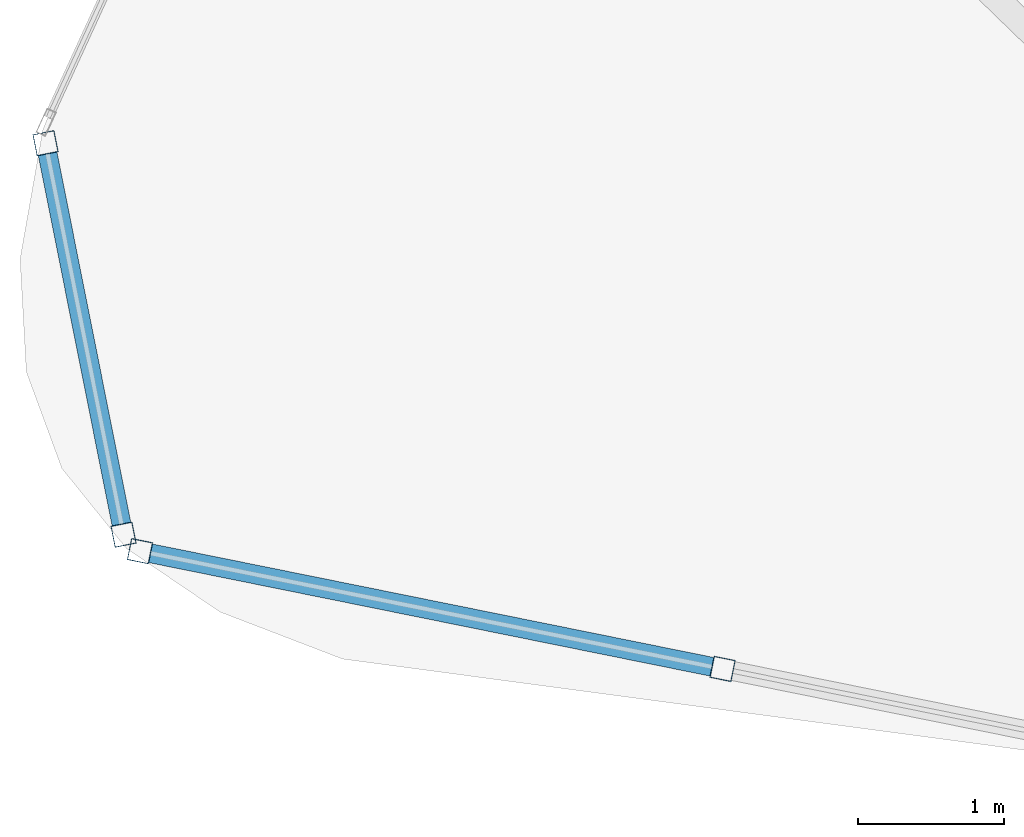
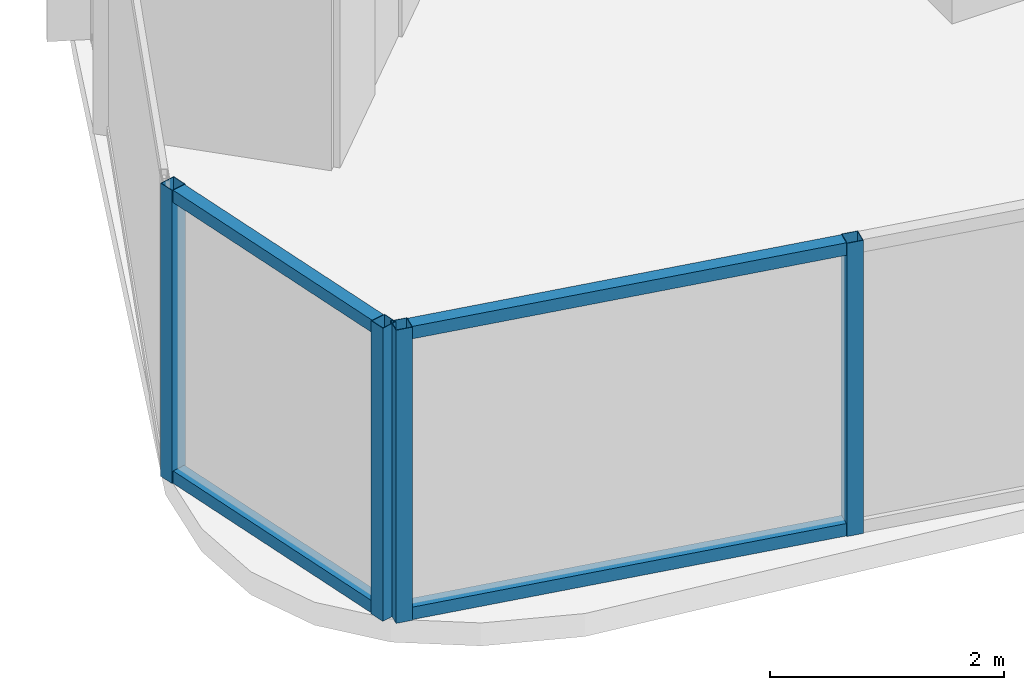
# One storey, part 2 of 35: 8 members, 2 elements without a shape of their own.
"""IFC4 building model written with IfcOpenShell, lengths in metres."""

from ifc_helpers import new_model, si_unit, direction, frame, origin, origin_2d, place, context, subcontext, project, spatial, hollow_rectangle, extrude, material, layer, layer_set, material_profile, profile_set, type_object, element, aggregate, save


model = new_model("IFC4")

# Units and contexts
model_context = context("Model", 3, precision=1e-05, world=origin(), true_north=direction((0.0, 1.0)))
body_context = subcontext(model_context, "Body", "Model", "MODEL_VIEW")
ifc_project = project(units=[si_unit("LENGTHUNIT", "METRE"), si_unit("AREAUNIT", "SQUARE_METRE"), si_unit("VOLUMEUNIT", "CUBIC_METRE"), si_unit("PLANEANGLEUNIT", "RADIAN"), si_unit("MASSUNIT", "GRAM", prefix="KILO")], contexts=[model_context])

# Site, building, storey
site_placement = place(None, origin())
site = spatial("IfcSite", under=ifc_project, at=site_placement, CompositionType="ELEMENT")
building_placement = place(site_placement, origin())
building = spatial("IfcBuilding", under=site, at=building_placement, Name="Orvanel Arch Residences", CompositionType="ELEMENT")
storey_placement = place(building_placement, frame((0.0, 0.0, 36.800048828125)))
storey = spatial("IfcBuildingStorey", under=building, at=storey_placement, Name="L09", CompositionType="ELEMENT", Elevation=36.800048828125)

# Curtain wall, members
ifc_material = material(Name="Bronze-anodised aluminium AA6063-T6", Category="aluminium")
ifc_layer = layer(ifc_material, 0.18994140625)
ifc_layer_set = layer_set([ifc_layer], Name="Bronze-anodised aluminium AA6063-T6")
curtain_wall_type = type_object("IfcCurtainWallType", Name="CW5-CRN-SYS", PredefinedType="NOTDEFINED", material=ifc_layer_set)
curtain_wall_1_placement = place(storey_placement, origin())
curtain_wall_1 = element("IfcCurtainWall", 1, at=curtain_wall_1_placement, inside=storey, type_object=curtain_wall_type, Name="L09 CW5-CRN-SYS Unitised Curtain Wall", PredefinedType="NOTDEFINED")
ifc_material_profile_1 = material_profile(ifc_material, hollow_rectangle(XDim=0.14990234375, YDim=0.14990234375, WallThickness=0.0048828125, at=origin_2d()), Name="ALU150x150x5")
ifc_profile_set_1 = profile_set([ifc_material_profile_1], Name="Bronze-anodised aluminium AA6063-T6")
member_type_1 = type_object("IfcMemberType", Name="MUL-150x150", PredefinedType="MULLION", material=ifc_profile_set_1)
member_1_placement = place(storey_placement, frame((4.257568359375, 7.038330078125, 0.0), z_axis=(0.0, 0.0, 1.0), x_axis=(0.98071396973, 0.195448483179, 0.0)))
member_1 = element("IfcMember", 2, at=member_1_placement, type_object=member_type_1, Name="CW-S5 mullion 1", PredefinedType="MULLION", context=body_context, shape_type="SweptSolid", body=[
    extrude(hollow_rectangle(XDim=0.14990234375, YDim=0.14990234375, WallThickness=0.0048828125, at=origin_2d()), origin(), (0.0, 0.0, 1.0), 3.06005859375),
])
member_2_placement = place(storey_placement, frame((4.791259765625, 4.360595703125, 0.0), z_axis=(0.0, 0.0, 1.0), x_axis=(0.98071396973, 0.195448483179, 0.0)))
member_2 = element("IfcMember", 3, at=member_2_placement, type_object=member_type_1, Name="CW-S5 mullion 2", PredefinedType="MULLION", context=body_context, shape_type="SweptSolid", body=[
    extrude(hollow_rectangle(XDim=0.14990234375, YDim=0.14990234375, WallThickness=0.0048828125, at=origin_2d()), origin(), (0.0, 0.0, 1.0), 3.06005859375),
])

curtain_wall_2_placement = place(storey_placement, origin())
curtain_wall_2 = element("IfcCurtainWall", 4, at=curtain_wall_2_placement, inside=storey, type_object=curtain_wall_type, Name="L09 CW5-CRN-SYS Unitised Curtain Wall", PredefinedType="NOTDEFINED")
member_3_placement = place(storey_placement, frame((4.903564453125, 4.248046875, 0.0), z_axis=(0.0, 0.0, 1.0), x_axis=(0.198159258538, 0.980169836434, 0.0)))
member_3 = element("IfcMember", 5, at=member_3_placement, type_object=member_type_1, Name="CW-S5 mullion 1", PredefinedType="MULLION", context=body_context, shape_type="SweptSolid", body=[
    extrude(hollow_rectangle(XDim=0.14990234375, YDim=0.14990234375, WallThickness=0.0048828125, at=origin_2d()), origin(), (0.0, 0.0, 1.0), 3.06005859375),
])
member_4_placement = place(storey_placement, frame((8.888427734375, 3.4423828125, 0.0), z_axis=(0.0, 0.0, 1.0), x_axis=(0.198159258538, 0.980169836434, 0.0)))
member_4 = element("IfcMember", 6, at=member_4_placement, type_object=member_type_1, Name="CW-S5 mullion 2", PredefinedType="MULLION", context=body_context, shape_type="SweptSolid", body=[
    extrude(hollow_rectangle(XDim=0.14990234375, YDim=0.14990234375, WallThickness=0.0048828125, at=origin_2d()), origin(), (0.0, 0.0, 1.0), 3.06005859375),
])

# Member
ifc_material_profile_2 = material_profile(ifc_material, hollow_rectangle(XDim=0.1298828125, YDim=0.1298828125, WallThickness=0.00439453125, at=origin_2d()), Name="ALU130x130x4.5")
ifc_profile_set_2 = profile_set([ifc_material_profile_2], Name="Bronze-anodised aluminium AA6063-T6")
member_type_2 = type_object("IfcMemberType", Name="TRN-130x130", PredefinedType="USERDEFINED", material=ifc_profile_set_2)
member_5_placement = place(storey_placement, frame((4.272216796875, 6.96484375, 0.06494140625), z_axis=(0.195461109638, -0.980711453293, 0.0), x_axis=(0.980711453293, 0.195461109638, 0.0)))
member_5 = element("IfcMember", 7, at=member_5_placement, type_object=member_type_2, Name="CW-S5 transom 1.1", ObjectType="TRANSOM", PredefinedType="USERDEFINED", context=body_context, shape_type="SweptSolid", body=[
    extrude(hollow_rectangle(XDim=0.1298828125, YDim=0.1298828125, WallThickness=0.00439453125, at=origin_2d()), origin(), (0.0, 0.0, 1.0), 2.58056640625),
])

member_6_placement = place(storey_placement, frame((4.272216796875, 6.96484375, 2.994873046875), z_axis=(0.195461109638, -0.980711453293, 0.0), x_axis=(0.980711453293, 0.195461109638, 0.0)))
member_6 = element("IfcMember", 8, at=member_6_placement, type_object=member_type_2, Name="CW-S5 transom 1.2", ObjectType="TRANSOM", PredefinedType="USERDEFINED", context=body_context, shape_type="SweptSolid", body=[
    extrude(hollow_rectangle(XDim=0.1298828125, YDim=0.1298828125, WallThickness=0.00439453125, at=origin_2d()), origin(), (0.0, 0.0, 1.0), 2.58056640625),
])

aggregate(curtain_wall_1, [member_1, member_2, member_5, member_6])

member_7_placement = place(storey_placement, frame((4.97705078125, 4.233154296875, 0.06494140625), z_axis=(0.980170871869, -0.198154136819, 0.0), x_axis=(0.198154136819, 0.980170871869, 0.0)))
member_7 = element("IfcMember", 9, at=member_7_placement, type_object=member_type_2, Name="CW-S5 transom 1.1", ObjectType="TRANSOM", PredefinedType="USERDEFINED", context=body_context, shape_type="SweptSolid", body=[
    extrude(hollow_rectangle(XDim=0.1298828125, YDim=0.1298828125, WallThickness=0.00439453125, at=origin_2d()), origin(), (0.0, 0.0, 1.0), 3.91552734375),
])

member_8_placement = place(storey_placement, frame((4.97705078125, 4.233154296875, 2.994873046875), z_axis=(0.980170871869, -0.198154136819, 0.0), x_axis=(0.198154136819, 0.980170871869, 0.0)))
member_8 = element("IfcMember", 10, at=member_8_placement, type_object=member_type_2, Name="CW-S5 transom 1.2", ObjectType="TRANSOM", PredefinedType="USERDEFINED", context=body_context, shape_type="SweptSolid", body=[
    extrude(hollow_rectangle(XDim=0.1298828125, YDim=0.1298828125, WallThickness=0.00439453125, at=origin_2d()), origin(), (0.0, 0.0, 1.0), 3.91552734375),
])

aggregate(curtain_wall_2, [member_3, member_4, member_7, member_8])

save(model, "model.ifc")
